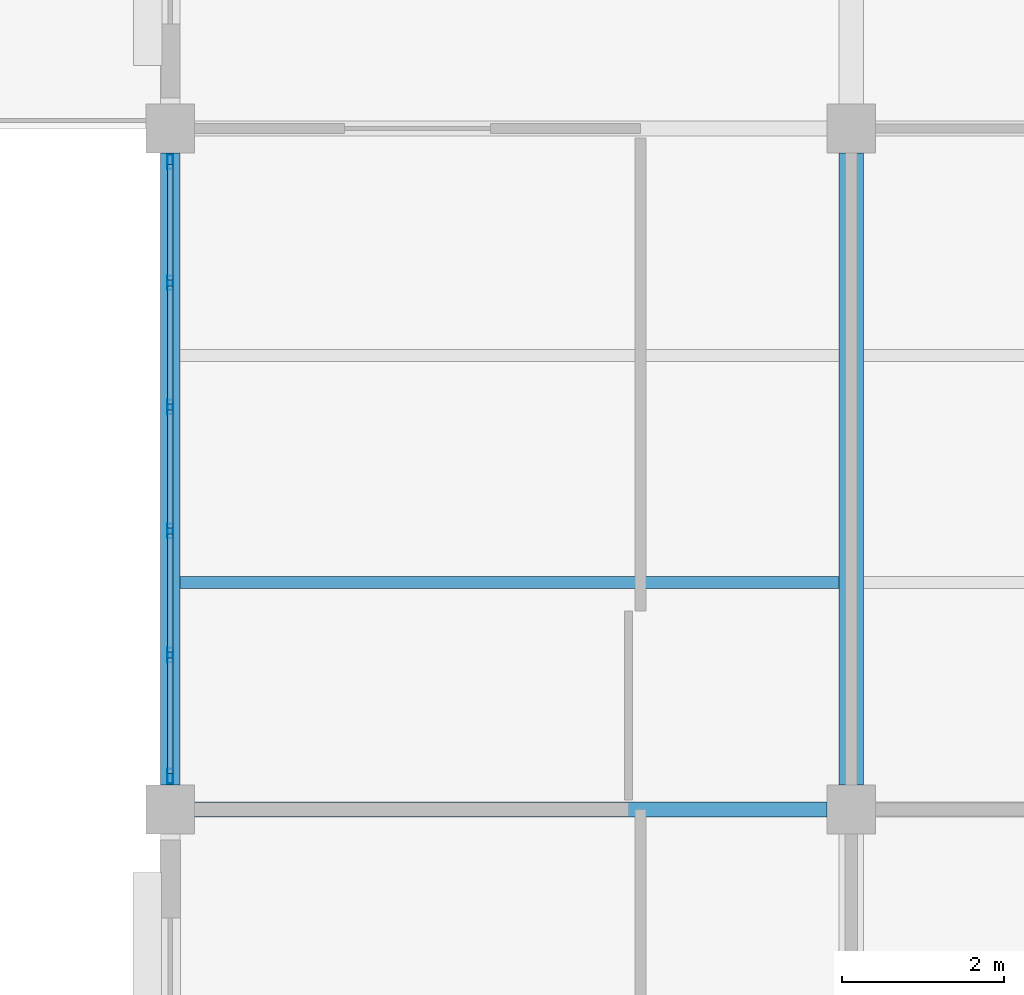
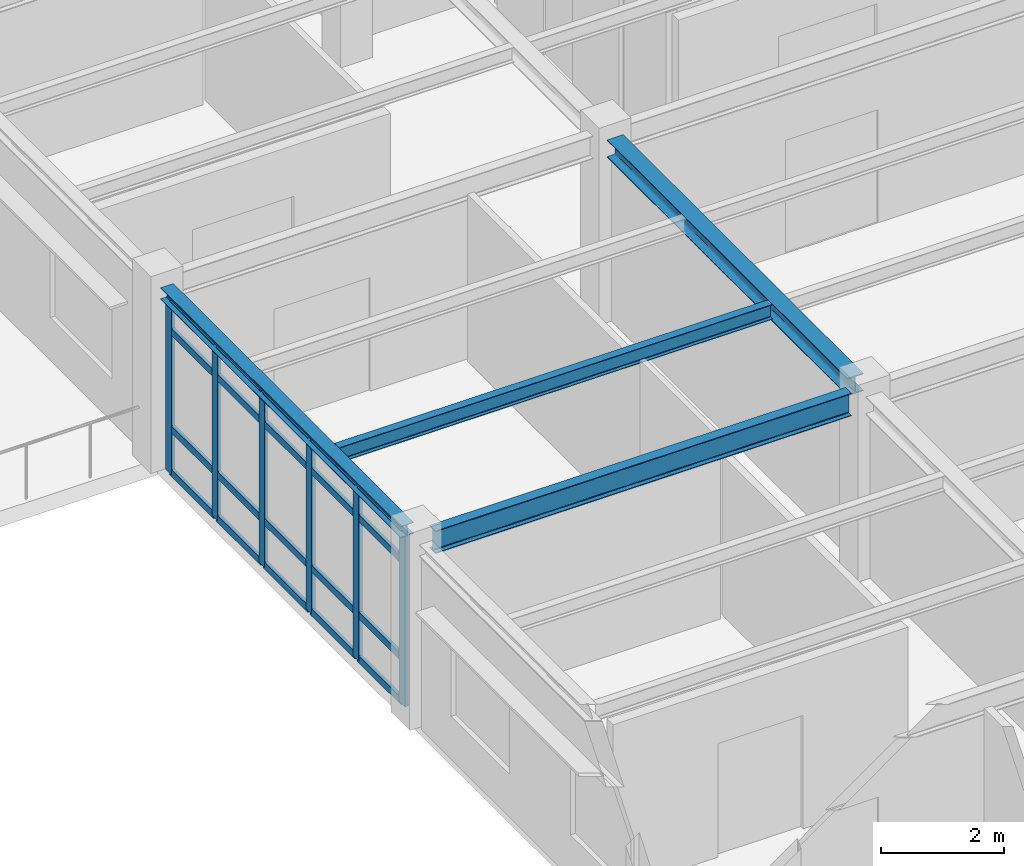
# One storey, part 10 of 86: 26 members, 4 beams, 1 element without a shape of its own.
"""IFC4 building model written with IfcOpenShell, lengths in metres."""

from ifc_helpers import new_model, si_unit, direction, frame, origin, origin_2d, place, context, subcontext, project, spatial, hollow_rectangle, i_section, extrude, material, layer, layer_set, material_profile, profile_set, type_object, element, aggregate, save


model = new_model("IFC4")

# Units and contexts
model_context = context("Model", 3, precision=1e-05, world=origin(), true_north=direction((0.0, 1.0)))
body_context = subcontext(model_context, "Body", "Model", "MODEL_VIEW")
ifc_project = project(units=[si_unit("LENGTHUNIT", "METRE"), si_unit("AREAUNIT", "SQUARE_METRE"), si_unit("VOLUMEUNIT", "CUBIC_METRE"), si_unit("PLANEANGLEUNIT", "RADIAN"), si_unit("MASSUNIT", "GRAM", prefix="KILO")], contexts=[model_context])

# Site, building, storey
site_placement = place(None, origin())
site = spatial("IfcSite", under=ifc_project, at=site_placement, CompositionType="ELEMENT")
building_placement = place(site_placement, origin())
building = spatial("IfcBuilding", under=site, at=building_placement, Name="Bramfleet General Hospital", CompositionType="ELEMENT")
storey_placement = place(building_placement, frame((0.0, 0.0, 18.60009765625)))
storey = spatial("IfcBuildingStorey", under=building, at=storey_placement, Name="L04", CompositionType="ELEMENT", Elevation=18.60009765625)

# Beams
ifc_material_1 = material(Name="Steel S355", Category="steel")
ifc_material_profile_1 = material_profile(ifc_material_1, i_section(OverallWidth=0.239990234375, OverallDepth=0.22998046875, WebThickness=0.007568359375, FlangeThickness=0.011962890625, FilletRadius=0.02099609375, at=origin_2d()), Name="HEA 240")
ifc_profile_set_1 = profile_set([ifc_material_profile_1], Name="Steel S355")
beam_type_1 = type_object("IfcBeamType", Name="BM-HEA240", PredefinedType="SPANDREL", material=ifc_profile_set_1)
beam_1_placement = place(storey_placement, frame((92.39990234375, 50.699951171875, 3.5048828125), z_axis=(0.0, 1.0, 0.0), x_axis=(-1.0, 0.0, 0.0)))
element("IfcBeam", 1, at=beam_1_placement, inside=storey, type_object=beam_type_1, Name="L04 Grid Beam Y 11-06", PredefinedType="SPANDREL", context=body_context, shape_type="SweptSolid", body=[
    extrude(i_section(OverallWidth=0.239990234375, OverallDepth=0.22998046875, WebThickness=0.007568359375, FlangeThickness=0.011962890625, FilletRadius=0.02099609375, at=origin_2d()), origin(), (0.0, 0.0, 1.0), 7.800048828125),
])
ifc_material_profile_2 = material_profile(ifc_material_1, i_section(OverallWidth=0.300048828125, OverallDepth=0.35009765625, WebThickness=0.010009765625, FlangeThickness=0.017578125, FilletRadius=0.027099609375, at=origin_2d()), Name="HEA 360")
ifc_profile_set_2 = profile_set([ifc_material_profile_2], Name="Steel S355")
beam_type_2 = type_object("IfcBeamType", Name="BM-HEA360", PredefinedType="BEAM", material=ifc_profile_set_2)
beam_2_placement = place(storey_placement, frame((100.800048828125, 50.699951171875, 3.44482421875), z_axis=(0.0, 1.0, 0.0), x_axis=(-1.0, 0.0, 0.0)))
element("IfcBeam", 2, at=beam_2_placement, inside=storey, type_object=beam_type_2, Name="L04 Grid Beam Y 12-06", PredefinedType="BEAM", context=body_context, shape_type="SweptSolid", body=[
    extrude(i_section(OverallWidth=0.300048828125, OverallDepth=0.35009765625, WebThickness=0.010009765625, FlangeThickness=0.017578125, FilletRadius=0.027099609375, at=origin_2d()), origin(), (0.0, 0.0, 1.0), 7.800048828125),
])
ifc_material_profile_3 = material_profile(ifc_material_1, i_section(OverallWidth=0.14990234375, OverallDepth=0.300048828125, WebThickness=0.007080078125, FlangeThickness=0.0107421875, FilletRadius=0.014892578125, at=origin_2d()), Name="IPE 300")
ifc_profile_set_3 = profile_set([ifc_material_profile_3], Name="Steel S355")
beam_type_3 = type_object("IfcBeamType", Name="BM-IPE300", PredefinedType="JOIST", material=ifc_profile_set_3)
beam_3_placement = place(storey_placement, frame((92.52001953125, 53.199951171875, 3.469970703125), z_axis=(1.0, 0.0, 0.0), x_axis=(0.0, 1.0, 0.0)))
element("IfcBeam", 3, at=beam_3_placement, inside=storey, type_object=beam_type_3, Name="L04 Secondary Joist 11-06-1", PredefinedType="JOIST", context=body_context, shape_type="SweptSolid", body=[
    extrude(i_section(OverallWidth=0.14990234375, OverallDepth=0.300048828125, WebThickness=0.007080078125, FlangeThickness=0.0107421875, FilletRadius=0.014892578125, at=origin_2d()), origin(), (0.0, 0.0, 1.0), 8.1298828125),
])
ifc_material_profile_4 = material_profile(ifc_material_1, i_section(OverallWidth=0.18994140625, OverallDepth=0.449951171875, WebThickness=0.009521484375, FlangeThickness=0.0146484375, FilletRadius=0.02099609375, at=origin_2d()), Name="IPE 450")
ifc_profile_set_4 = profile_set([ifc_material_profile_4], Name="Steel S355")
beam_type_4 = type_object("IfcBeamType", Name="BM-IPE450", PredefinedType="BEAM", material=ifc_profile_set_4)
beam_4_placement = place(storey_placement, frame((92.699951171875, 50.39990234375, 3.39501953125), z_axis=(1.0, 0.0, 0.0), x_axis=(0.0, 1.0, 0.0)))
element("IfcBeam", 4, at=beam_4_placement, inside=storey, type_object=beam_type_4, Name="L04 Grid Beam X 11-06", PredefinedType="BEAM", context=body_context, shape_type="SweptSolid", body=[
    extrude(i_section(OverallWidth=0.18994140625, OverallDepth=0.449951171875, WebThickness=0.009521484375, FlangeThickness=0.0146484375, FilletRadius=0.02099609375, at=origin_2d()), origin(), (0.0, 0.0, 1.0), 7.800048828125),
])

# Curtain wall, members
ifc_material_2 = material(Name="Anodised aluminium and low-E triple glazing", Category="aluminium")
ifc_layer = layer(ifc_material_2, 0.179931640625, Name="CWT-CW-18")
ifc_layer_set = layer_set([ifc_layer], Name="Anodised aluminium and low-E triple glazing")
curtain_wall_type = type_object("IfcCurtainWallType", Name="CWT-CW-18", PredefinedType="USERDEFINED", material=ifc_layer_set)
curtain_wall_placement = place(storey_placement, origin())
curtain_wall = element("IfcCurtainWall", 5, at=curtain_wall_placement, inside=storey, type_object=curtain_wall_type, Name="L04 Curtain Wall 198", ObjectType="Stick curtain wall", PredefinedType="USERDEFINED")
ifc_material_3 = material(Name="Anodised aluminium EN AW-6060", Category="aluminium")
ifc_material_profile_5 = material_profile(ifc_material_3, hollow_rectangle(XDim=0.070068359375, YDim=0.179931640625, WallThickness=0.00390625, at=origin_2d()), Name="ALU 180x70x4.0")
ifc_profile_set_5 = profile_set([ifc_material_profile_5], Name="Anodised aluminium EN AW-6060")
member_type_1 = type_object("IfcMemberType", Name="CWM-ALU180", PredefinedType="MULLION", material=ifc_profile_set_5)
member_1_placement = place(storey_placement, frame((92.39990234375, 50.81005859375, 0.0), z_axis=(0.0, 0.0, 1.0), x_axis=(-1.0, 0.0, 0.0)))
member_1 = element("IfcMember", 6, at=member_1_placement, type_object=member_type_1, Name="CW-18 mullion 1", PredefinedType="MULLION", context=body_context, shape_type="SweptSolid", body=[
    extrude(hollow_rectangle(XDim=0.070068359375, YDim=0.179931640625, WallThickness=0.00390625, at=origin_2d()), origin(), (0.0, 0.0, 1.0), 3.3798828125),
])
member_2_placement = place(storey_placement, frame((92.39990234375, 52.304931640625, 0.0), z_axis=(0.0, 0.0, 1.0), x_axis=(-1.0, 0.0, 0.0)))
member_2 = element("IfcMember", 7, at=member_2_placement, type_object=member_type_1, Name="CW-18 mullion 2", PredefinedType="MULLION", context=body_context, shape_type="SweptSolid", body=[
    extrude(hollow_rectangle(XDim=0.070068359375, YDim=0.179931640625, WallThickness=0.00390625, at=origin_2d()), origin(), (0.0, 0.0, 1.0), 3.3798828125),
])
member_3_placement = place(storey_placement, frame((92.39990234375, 53.8349609375, 0.0), z_axis=(0.0, 0.0, 1.0), x_axis=(-1.0, 0.0, 0.0)))
member_3 = element("IfcMember", 8, at=member_3_placement, type_object=member_type_1, Name="CW-18 mullion 3", PredefinedType="MULLION", context=body_context, shape_type="SweptSolid", body=[
    extrude(hollow_rectangle(XDim=0.070068359375, YDim=0.179931640625, WallThickness=0.00390625, at=origin_2d()), origin(), (0.0, 0.0, 1.0), 3.3798828125),
])
member_4_placement = place(storey_placement, frame((92.39990234375, 55.364990234375, 0.0), z_axis=(0.0, 0.0, 1.0), x_axis=(-1.0, 0.0, 0.0)))
member_4 = element("IfcMember", 9, at=member_4_placement, type_object=member_type_1, Name="CW-18 mullion 4", PredefinedType="MULLION", context=body_context, shape_type="SweptSolid", body=[
    extrude(hollow_rectangle(XDim=0.070068359375, YDim=0.179931640625, WallThickness=0.00390625, at=origin_2d()), origin(), (0.0, 0.0, 1.0), 3.3798828125),
])
member_5_placement = place(storey_placement, frame((92.39990234375, 56.89501953125, 0.0), z_axis=(0.0, 0.0, 1.0), x_axis=(-1.0, 0.0, 0.0)))
member_5 = element("IfcMember", 10, at=member_5_placement, type_object=member_type_1, Name="CW-18 mullion 5", PredefinedType="MULLION", context=body_context, shape_type="SweptSolid", body=[
    extrude(hollow_rectangle(XDim=0.070068359375, YDim=0.179931640625, WallThickness=0.00390625, at=origin_2d()), origin(), (0.0, 0.0, 1.0), 3.3798828125),
])
member_6_placement = place(storey_placement, frame((92.39990234375, 58.389892578125, 0.0), z_axis=(0.0, 0.0, 1.0), x_axis=(-1.0, 0.0, 0.0)))
member_6 = element("IfcMember", 11, at=member_6_placement, type_object=member_type_1, Name="CW-18 mullion 6", PredefinedType="MULLION", context=body_context, shape_type="SweptSolid", body=[
    extrude(hollow_rectangle(XDim=0.070068359375, YDim=0.179931640625, WallThickness=0.00390625, at=origin_2d()), origin(), (0.0, 0.0, 1.0), 3.3798828125),
])
ifc_material_profile_6 = material_profile(ifc_material_3, hollow_rectangle(XDim=0.06494140625, YDim=0.139892578125, WallThickness=0.00390625, at=origin_2d()), Name="ALU 140x65x4.0")
ifc_profile_set_6 = profile_set([ifc_material_profile_6], Name="Anodised aluminium EN AW-6060")
member_type_2 = type_object("IfcMemberType", Name="CWT-ALU140", PredefinedType="USERDEFINED", material=ifc_profile_set_6)
member_7_placement = place(storey_placement, frame((92.39990234375, 50.844970703125, 0.032470703125), z_axis=(0.0, 1.0, 0.0), x_axis=(-1.0, 0.0, 0.0)))
member_7 = element("IfcMember", 12, at=member_7_placement, type_object=member_type_2, Name="CW-18 transom 1.1", ObjectType="TRANSOM", PredefinedType="USERDEFINED", context=body_context, shape_type="SweptSolid", body=[
    extrude(hollow_rectangle(XDim=0.06494140625, YDim=0.139892578125, WallThickness=0.00390625, at=origin_2d()), origin(), (0.0, 0.0, 1.0), 1.425048828125),
])
member_8_placement = place(storey_placement, frame((92.39990234375, 50.844970703125, 0.89990234375), z_axis=(0.0, 1.0, 0.0), x_axis=(-1.0, 0.0, 0.0)))
member_8 = element("IfcMember", 13, at=member_8_placement, type_object=member_type_2, Name="CW-18 transom 1.2", ObjectType="TRANSOM", PredefinedType="USERDEFINED", context=body_context, shape_type="SweptSolid", body=[
    extrude(hollow_rectangle(XDim=0.06494140625, YDim=0.139892578125, WallThickness=0.00390625, at=origin_2d()), origin(), (0.0, 0.0, 1.0), 1.425048828125),
])
member_9_placement = place(storey_placement, frame((92.39990234375, 50.844970703125, 2.829833984375), z_axis=(0.0, 1.0, 0.0), x_axis=(-1.0, 0.0, 0.0)))
member_9 = element("IfcMember", 14, at=member_9_placement, type_object=member_type_2, Name="CW-18 transom 1.3", ObjectType="TRANSOM", PredefinedType="USERDEFINED", context=body_context, shape_type="SweptSolid", body=[
    extrude(hollow_rectangle(XDim=0.06494140625, YDim=0.139892578125, WallThickness=0.00390625, at=origin_2d()), origin(), (0.0, 0.0, 1.0), 1.425048828125),
])
member_10_placement = place(storey_placement, frame((92.39990234375, 50.844970703125, 3.347412109375), z_axis=(0.0, 1.0, 0.0), x_axis=(-1.0, 0.0, 0.0)))
member_10 = element("IfcMember", 15, at=member_10_placement, type_object=member_type_2, Name="CW-18 transom 1.4", ObjectType="TRANSOM", PredefinedType="USERDEFINED", context=body_context, shape_type="SweptSolid", body=[
    extrude(hollow_rectangle(XDim=0.06494140625, YDim=0.139892578125, WallThickness=0.00390625, at=origin_2d()), origin(), (0.0, 0.0, 1.0), 1.425048828125),
])
member_11_placement = place(storey_placement, frame((92.39990234375, 52.340087890625, 0.032470703125), z_axis=(0.0, 1.0, 0.0), x_axis=(-1.0, 0.0, 0.0)))
member_11 = element("IfcMember", 16, at=member_11_placement, type_object=member_type_2, Name="CW-18 transom 2.1", ObjectType="TRANSOM", PredefinedType="USERDEFINED", context=body_context, shape_type="SweptSolid", body=[
    extrude(hollow_rectangle(XDim=0.06494140625, YDim=0.139892578125, WallThickness=0.00390625, at=origin_2d()), origin(), (0.0, 0.0, 1.0), 1.4599609375),
])
member_12_placement = place(storey_placement, frame((92.39990234375, 52.340087890625, 0.89990234375), z_axis=(0.0, 1.0, 0.0), x_axis=(-1.0, 0.0, 0.0)))
member_12 = element("IfcMember", 17, at=member_12_placement, type_object=member_type_2, Name="CW-18 transom 2.2", ObjectType="TRANSOM", PredefinedType="USERDEFINED", context=body_context, shape_type="SweptSolid", body=[
    extrude(hollow_rectangle(XDim=0.06494140625, YDim=0.139892578125, WallThickness=0.00390625, at=origin_2d()), origin(), (0.0, 0.0, 1.0), 1.4599609375),
])
member_13_placement = place(storey_placement, frame((92.39990234375, 52.340087890625, 2.829833984375), z_axis=(0.0, 1.0, 0.0), x_axis=(-1.0, 0.0, 0.0)))
member_13 = element("IfcMember", 18, at=member_13_placement, type_object=member_type_2, Name="CW-18 transom 2.3", ObjectType="TRANSOM", PredefinedType="USERDEFINED", context=body_context, shape_type="SweptSolid", body=[
    extrude(hollow_rectangle(XDim=0.06494140625, YDim=0.139892578125, WallThickness=0.00390625, at=origin_2d()), origin(), (0.0, 0.0, 1.0), 1.4599609375),
])
member_14_placement = place(storey_placement, frame((92.39990234375, 52.340087890625, 3.347412109375), z_axis=(0.0, 1.0, 0.0), x_axis=(-1.0, 0.0, 0.0)))
member_14 = element("IfcMember", 19, at=member_14_placement, type_object=member_type_2, Name="CW-18 transom 2.4", ObjectType="TRANSOM", PredefinedType="USERDEFINED", context=body_context, shape_type="SweptSolid", body=[
    extrude(hollow_rectangle(XDim=0.06494140625, YDim=0.139892578125, WallThickness=0.00390625, at=origin_2d()), origin(), (0.0, 0.0, 1.0), 1.4599609375),
])
member_15_placement = place(storey_placement, frame((92.39990234375, 53.8701171875, 0.032470703125), z_axis=(0.0, 1.0, 0.0), x_axis=(-1.0, 0.0, 0.0)))
member_15 = element("IfcMember", 20, at=member_15_placement, type_object=member_type_2, Name="CW-18 transom 3.1", ObjectType="TRANSOM", PredefinedType="USERDEFINED", context=body_context, shape_type="SweptSolid", body=[
    extrude(hollow_rectangle(XDim=0.06494140625, YDim=0.139892578125, WallThickness=0.00390625, at=origin_2d()), origin(), (0.0, 0.0, 1.0), 1.4599609375),
])
member_16_placement = place(storey_placement, frame((92.39990234375, 53.8701171875, 0.89990234375), z_axis=(0.0, 1.0, 0.0), x_axis=(-1.0, 0.0, 0.0)))
member_16 = element("IfcMember", 21, at=member_16_placement, type_object=member_type_2, Name="CW-18 transom 3.2", ObjectType="TRANSOM", PredefinedType="USERDEFINED", context=body_context, shape_type="SweptSolid", body=[
    extrude(hollow_rectangle(XDim=0.06494140625, YDim=0.139892578125, WallThickness=0.00390625, at=origin_2d()), origin(), (0.0, 0.0, 1.0), 1.4599609375),
])
member_17_placement = place(storey_placement, frame((92.39990234375, 53.8701171875, 2.829833984375), z_axis=(0.0, 1.0, 0.0), x_axis=(-1.0, 0.0, 0.0)))
member_17 = element("IfcMember", 22, at=member_17_placement, type_object=member_type_2, Name="CW-18 transom 3.3", ObjectType="TRANSOM", PredefinedType="USERDEFINED", context=body_context, shape_type="SweptSolid", body=[
    extrude(hollow_rectangle(XDim=0.06494140625, YDim=0.139892578125, WallThickness=0.00390625, at=origin_2d()), origin(), (0.0, 0.0, 1.0), 1.4599609375),
])
member_18_placement = place(storey_placement, frame((92.39990234375, 53.8701171875, 3.347412109375), z_axis=(0.0, 1.0, 0.0), x_axis=(-1.0, 0.0, 0.0)))
member_18 = element("IfcMember", 23, at=member_18_placement, type_object=member_type_2, Name="CW-18 transom 3.4", ObjectType="TRANSOM", PredefinedType="USERDEFINED", context=body_context, shape_type="SweptSolid", body=[
    extrude(hollow_rectangle(XDim=0.06494140625, YDim=0.139892578125, WallThickness=0.00390625, at=origin_2d()), origin(), (0.0, 0.0, 1.0), 1.4599609375),
])
member_19_placement = place(storey_placement, frame((92.39990234375, 55.39990234375, 0.032470703125), z_axis=(0.0, 1.0, 0.0), x_axis=(-1.0, 0.0, 0.0)))
member_19 = element("IfcMember", 24, at=member_19_placement, type_object=member_type_2, Name="CW-18 transom 4.1", ObjectType="TRANSOM", PredefinedType="USERDEFINED", context=body_context, shape_type="SweptSolid", body=[
    extrude(hollow_rectangle(XDim=0.06494140625, YDim=0.139892578125, WallThickness=0.00390625, at=origin_2d()), origin(), (0.0, 0.0, 1.0), 1.460205078125),
])
member_20_placement = place(storey_placement, frame((92.39990234375, 55.39990234375, 0.89990234375), z_axis=(0.0, 1.0, 0.0), x_axis=(-1.0, 0.0, 0.0)))
member_20 = element("IfcMember", 25, at=member_20_placement, type_object=member_type_2, Name="CW-18 transom 4.2", ObjectType="TRANSOM", PredefinedType="USERDEFINED", context=body_context, shape_type="SweptSolid", body=[
    extrude(hollow_rectangle(XDim=0.06494140625, YDim=0.139892578125, WallThickness=0.00390625, at=origin_2d()), origin(), (0.0, 0.0, 1.0), 1.460205078125),
])
member_21_placement = place(storey_placement, frame((92.39990234375, 55.39990234375, 2.829833984375), z_axis=(0.0, 1.0, 0.0), x_axis=(-1.0, 0.0, 0.0)))
member_21 = element("IfcMember", 26, at=member_21_placement, type_object=member_type_2, Name="CW-18 transom 4.3", ObjectType="TRANSOM", PredefinedType="USERDEFINED", context=body_context, shape_type="SweptSolid", body=[
    extrude(hollow_rectangle(XDim=0.06494140625, YDim=0.139892578125, WallThickness=0.00390625, at=origin_2d()), origin(), (0.0, 0.0, 1.0), 1.460205078125),
])
member_22_placement = place(storey_placement, frame((92.39990234375, 55.39990234375, 3.347412109375), z_axis=(0.0, 1.0, 0.0), x_axis=(-1.0, 0.0, 0.0)))
member_22 = element("IfcMember", 27, at=member_22_placement, type_object=member_type_2, Name="CW-18 transom 4.4", ObjectType="TRANSOM", PredefinedType="USERDEFINED", context=body_context, shape_type="SweptSolid", body=[
    extrude(hollow_rectangle(XDim=0.06494140625, YDim=0.139892578125, WallThickness=0.00390625, at=origin_2d()), origin(), (0.0, 0.0, 1.0), 1.460205078125),
])
member_23_placement = place(storey_placement, frame((92.39990234375, 56.929931640625, 0.032470703125), z_axis=(0.0, 1.0, 0.0), x_axis=(-1.0, 0.0, 0.0)))
member_23 = element("IfcMember", 28, at=member_23_placement, type_object=member_type_2, Name="CW-18 transom 5.1", ObjectType="TRANSOM", PredefinedType="USERDEFINED", context=body_context, shape_type="SweptSolid", body=[
    extrude(hollow_rectangle(XDim=0.06494140625, YDim=0.139892578125, WallThickness=0.00390625, at=origin_2d()), origin(), (0.0, 0.0, 1.0), 1.425048828125),
])
member_24_placement = place(storey_placement, frame((92.39990234375, 56.929931640625, 0.89990234375), z_axis=(0.0, 1.0, 0.0), x_axis=(-1.0, 0.0, 0.0)))
member_24 = element("IfcMember", 29, at=member_24_placement, type_object=member_type_2, Name="CW-18 transom 5.2", ObjectType="TRANSOM", PredefinedType="USERDEFINED", context=body_context, shape_type="SweptSolid", body=[
    extrude(hollow_rectangle(XDim=0.06494140625, YDim=0.139892578125, WallThickness=0.00390625, at=origin_2d()), origin(), (0.0, 0.0, 1.0), 1.425048828125),
])
member_25_placement = place(storey_placement, frame((92.39990234375, 56.929931640625, 2.829833984375), z_axis=(0.0, 1.0, 0.0), x_axis=(-1.0, 0.0, 0.0)))
member_25 = element("IfcMember", 30, at=member_25_placement, type_object=member_type_2, Name="CW-18 transom 5.3", ObjectType="TRANSOM", PredefinedType="USERDEFINED", context=body_context, shape_type="SweptSolid", body=[
    extrude(hollow_rectangle(XDim=0.06494140625, YDim=0.139892578125, WallThickness=0.00390625, at=origin_2d()), origin(), (0.0, 0.0, 1.0), 1.425048828125),
])
member_26_placement = place(storey_placement, frame((92.39990234375, 56.929931640625, 3.347412109375), z_axis=(0.0, 1.0, 0.0), x_axis=(-1.0, 0.0, 0.0)))
member_26 = element("IfcMember", 31, at=member_26_placement, type_object=member_type_2, Name="CW-18 transom 5.4", ObjectType="TRANSOM", PredefinedType="USERDEFINED", context=body_context, shape_type="SweptSolid", body=[
    extrude(hollow_rectangle(XDim=0.06494140625, YDim=0.139892578125, WallThickness=0.00390625, at=origin_2d()), origin(), (0.0, 0.0, 1.0), 1.425048828125),
])
aggregate(curtain_wall, [member_1, member_2, member_3, member_4, member_5, member_6, member_7, member_8, member_9, member_10, member_11, member_12, member_13, member_14, member_15, member_16, member_17, member_18, member_19, member_20, member_21, member_22, member_23, member_24, member_25, member_26])

save(model, "model.ifc")
